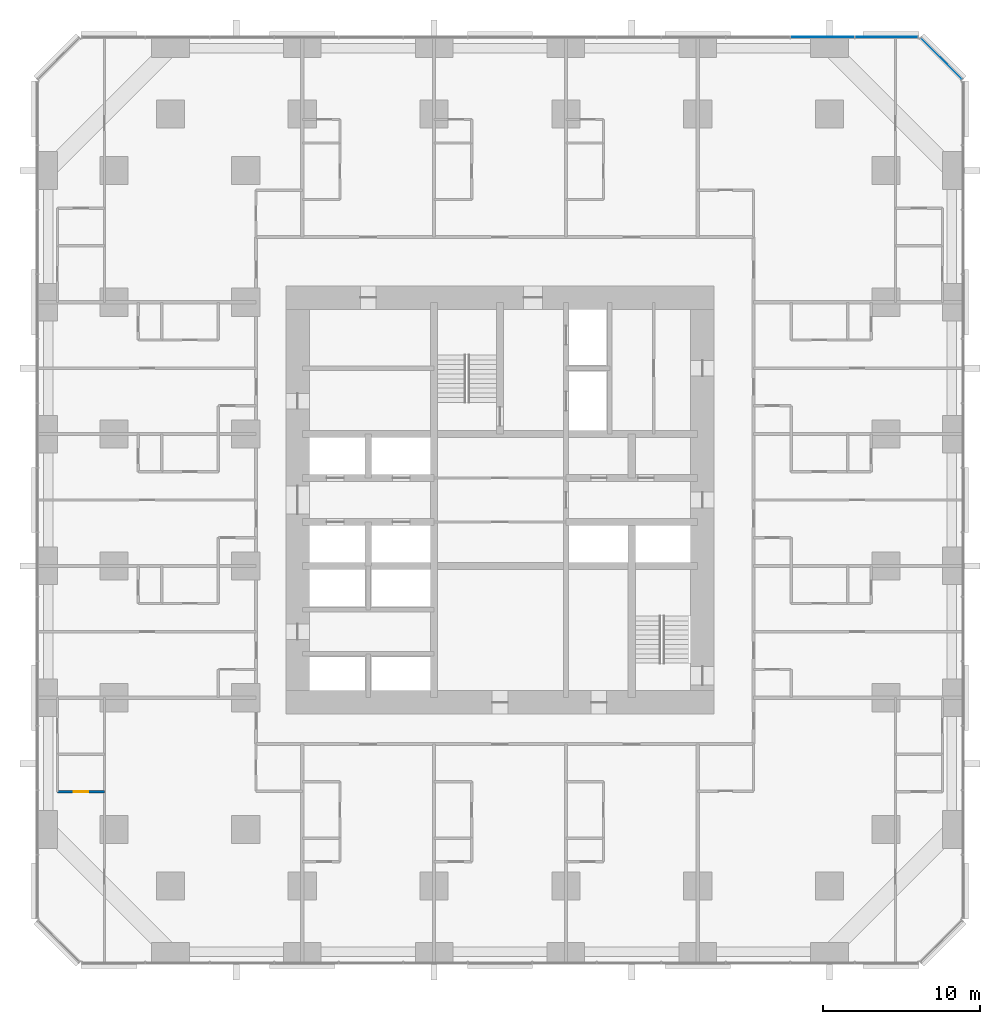
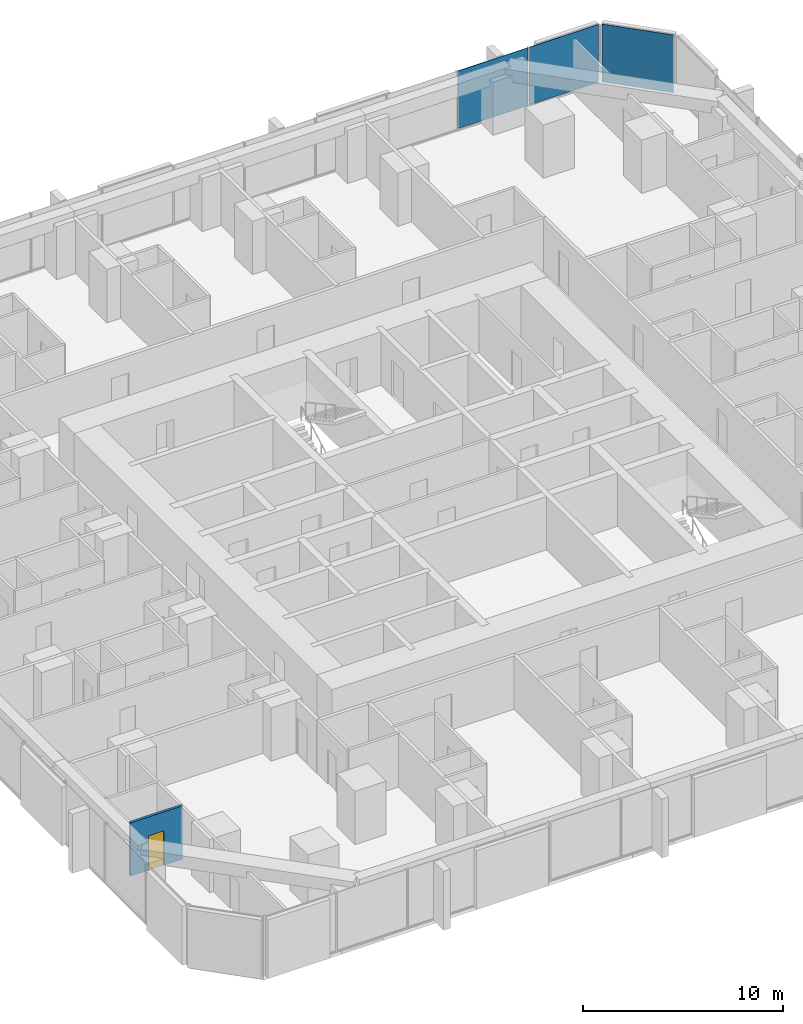
# One storey, part 10 of 17: 3 plates, 1 door, 1 wall, 1 opening, 2 elements without a shape of their own.
"""IFC4 building model written with IfcOpenShell, lengths in metres."""

from ifc_helpers import new_model, si_unit, direction, frame, frame_2d, origin, origin_2d, place, context, subcontext, project, spatial, rectangle, extrude, material, layer, layer_set, type_object, element, fill, aggregate, save


model = new_model("IFC4")

# Units and contexts
model_context = context("Model", 3, precision=1e-05, world=origin(), true_north=direction((0.0, 1.0)))
body_context = subcontext(model_context, "Body", "Model", "MODEL_VIEW")
ifc_project = project(units=[si_unit("LENGTHUNIT", "METRE"), si_unit("AREAUNIT", "SQUARE_METRE"), si_unit("VOLUMEUNIT", "CUBIC_METRE"), si_unit("PLANEANGLEUNIT", "RADIAN"), si_unit("MASSUNIT", "GRAM", prefix="KILO")], contexts=[model_context])

# Site, building, storey
site_placement = place(None, origin())
site = spatial("IfcSite", under=ifc_project, at=site_placement, CompositionType="ELEMENT")
building_placement = place(site_placement, origin())
building = spatial("IfcBuilding", under=site, at=building_placement, Name="Dunama Terrace Hotel", CompositionType="ELEMENT")
storey_placement = place(building_placement, frame((0.0, 0.0, 55.800048828125)))
storey = spatial("IfcBuildingStorey", under=building, at=storey_placement, Name="L13", CompositionType="ELEMENT", Elevation=55.800048828125)

# Curtain wall, plate
ifc_material_1 = material(Name="Aluminium curtain wall system", Category="aluminium")
curtain_wall_type = type_object("IfcCurtainWallType", Name="Unitised fritted glass wall CW-A", PredefinedType="NOTDEFINED", material=ifc_material_1)
curtain_wall_1_placement = place(storey_placement, origin())
curtain_wall_1 = element("IfcCurtainWall", 1, at=curtain_wall_1_placement, inside=storey, type_object=curtain_wall_type, Name="Unitised fritted glass wall CW-A L13", PredefinedType="NOTDEFINED")
ifc_material_2 = material(Name="Laminated glass", Category="glass")
ifc_layer_1 = layer(ifc_material_2, 0.030029296875)
ifc_layer_set_1 = layer_set([ifc_layer_1], Name="CWA clear glass panel")
plate_type_1 = type_object("IfcPlateType", Name="CWA clear glass panel", PredefinedType="CURTAIN_PANEL", material=ifc_layer_set_1)
plate_1_placement = place(storey_placement, frame((54.030029296875, 58.89990234375, 0.074951171875), z_axis=(0.0, 0.0, 1.0), x_axis=(-1.0, 0.0, 0.0)))
plate_1 = element("IfcPlate", 2, at=plate_1_placement, type_object=plate_type_1, Name="CWA clear glass panel", PredefinedType="CURTAIN_PANEL", context=body_context, shape_type="SweptSolid", body=[
    extrude(rectangle(XDim=4.01025390625, YDim=0.030029296875, at=origin_2d()), origin(), (0.0, 0.0, 1.0), 3.52490234375),
])

curtain_wall_2_placement = place(storey_placement, origin())
curtain_wall_2 = element("IfcCurtainWall", 3, at=curtain_wall_2_placement, inside=storey, type_object=curtain_wall_type, Name="Unitised fritted glass wall CW-A L13", PredefinedType="NOTDEFINED")
ifc_material_3 = material(Name="Fritted laminated glass", Category="glass")
ifc_layer_2 = layer(ifc_material_3, 0.030029296875)
ifc_layer_set_2 = layer_set([ifc_layer_2], Name="CWA fritted glass panel")
plate_type_2 = type_object("IfcPlateType", Name="CWA fritted glass panel", PredefinedType="CURTAIN_PANEL", material=ifc_layer_set_2)
plate_2_placement = place(storey_placement, frame((57.52099609375, 57.52099609375, 0.074951171875), z_axis=(0.0, 0.0, 1.0), x_axis=(-0.707106781187, 0.707106781187, 0.0)))
plate_2 = element("IfcPlate", 4, at=plate_2_placement, type_object=plate_type_2, Name="CWA fritted glass panel", PredefinedType="CURTAIN_PANEL", context=body_context, shape_type="SweptSolid", body=[
    extrude(rectangle(XDim=3.6884765625, YDim=0.030029296875, at=origin_2d()), origin(), (0.0, 0.0, 1.0), 3.52490234375),
])
aggregate(curtain_wall_2, [plate_2])

# Plate
ifc_material_4 = material(Name="Laminated glass", Category="glass")
ifc_layer_3 = layer(ifc_material_4, 0.030029296875)
ifc_layer_set_3 = layer_set([ifc_layer_3], Name="CWA operable glass panel")
plate_type_3 = type_object("IfcPlateType", Name="CWA operable glass panel", PredefinedType="CURTAIN_PANEL", material=ifc_layer_set_3)
plate_3_placement = place(storey_placement, frame((49.93798828125, 58.89990234375, 0.074951171875), z_axis=(0.0, 0.0, 1.0), x_axis=(-1.0, 0.0, 0.0)))
plate_3 = element("IfcPlate", 5, at=plate_3_placement, type_object=plate_type_3, Name="CWA operable glass panel", PredefinedType="CURTAIN_PANEL", context=body_context, shape_type="SweptSolid", body=[
    extrude(rectangle(XDim=4.042724609375, YDim=0.030029296875, at=origin_2d()), origin(), (0.0, 0.0, 1.0), 3.52490234375),
])

aggregate(curtain_wall_1, [plate_1, plate_3])

# Wall, opening, door
ifc_material_5 = material(Name="Gypsum board partition", Category="masonry")
ifc_layer_4 = layer(ifc_material_5, 0.14990234375)
ifc_layer_set_4 = layer_set([ifc_layer_4], Name="Room partition 150")
wall_type = type_object("IfcWallType", Name="Room partition 150", PredefinedType="PARTITIONING", material=ifc_layer_set_4)
wall_placement = place(storey_placement, frame((1.199951171875, 10.800048828125, 0.0), z_axis=(0.0, 0.0, 1.0), x_axis=(1.0, 0.0, 0.0)))
wall = element("IfcWall", 6, at=wall_placement, inside=storey, type_object=wall_type, Name="Room partition 150 L13", PredefinedType="PARTITIONING", context=body_context, shape_type="SweptSolid", body=[
    extrude(rectangle(XDim=3.0, YDim=0.14990234375, at=frame_2d((1.5, 0.0))), origin(), (0.0, 0.0, 1.0), 3.25),
])
opening_placement = place(wall_placement, frame((1.050048828125, 0.0, 0.0)))
opening = element("IfcOpeningElement", 7, at=opening_placement, cuts=wall, Name="Opening L13-14-061", PredefinedType="OPENING", context=body_context, shape_type="SweptSolid", body=[
    extrude(rectangle(XDim=0.89990234375, YDim=2.10009765625, at=frame_2d((0.449951171875, 1.050048828125))), frame((0.0, 0.0849609375, 0.0), z_axis=(0.0, -1.0, 0.0), x_axis=(1.0, 0.0, 0.0)), (0.0, 0.0, 1.0), 0.169921875),
])
ifc_material_6 = material(Name="Timber door with steel frame", Category="steel")
door_type = type_object("IfcDoorType", Name="Suite internal door 900", OperationType="SINGLE_SWING_LEFT", PredefinedType="DOOR", material=ifc_material_6)
door_placement = place(opening_placement, origin())
door = element("IfcDoor", 8, at=door_placement, inside=storey, type_object=door_type, Name="Door to dressing room L13-14-061, type D16", OperationType="SINGLE_SWING_LEFT", OverallHeight=2.10009765625, OverallWidth=0.89990234375, PredefinedType="DOOR", context=body_context, shape_type="SweptSolid", body=[
    extrude(rectangle(XDim=0.89990234375, YDim=2.10009765625, at=frame_2d((0.449951171875, 1.050048828125))), frame((0.0, 0.02490234375, 0.0), z_axis=(0.0, -1.0, 0.0), x_axis=(1.0, 0.0, 0.0)), (0.0, 0.0, 1.0), 0.050048828125),
])
fill(opening, door)

save(model, "model.ifc")
